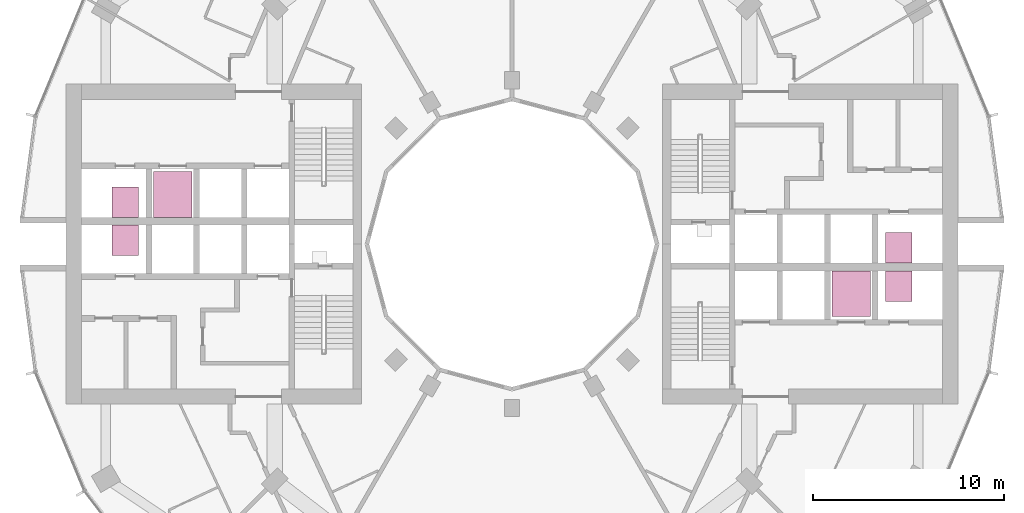
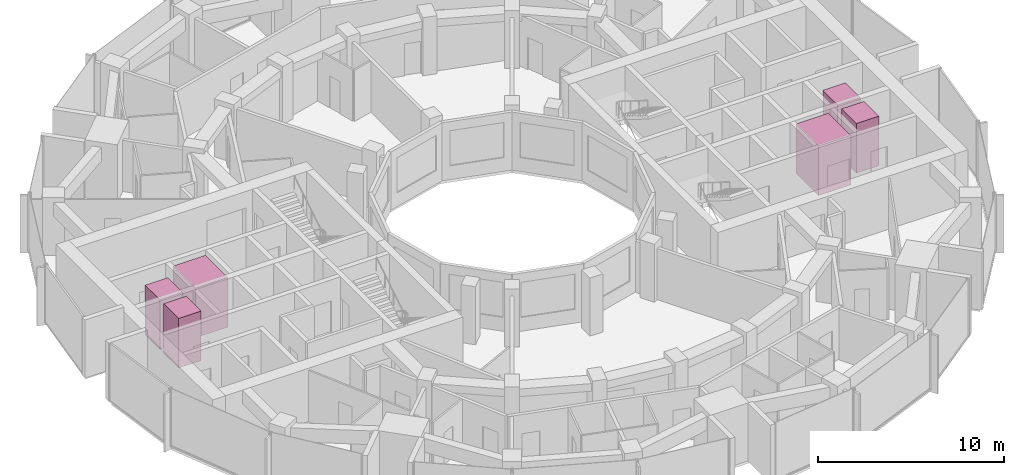
# One storey, part 15 of 15: 6 transport elements.
"""IFC4 building model written with IfcOpenShell, lengths in metres."""

from ifc_helpers import new_model, si_unit, direction, frame, origin, origin_2d, place, context, subcontext, project, spatial, rectangle, extrude, material, type_object, element, save


model = new_model("IFC4")

# Units and contexts
model_context = context("Model", 3, precision=1e-05, world=origin(), true_north=direction((0.0, 1.0)))
body_context = subcontext(model_context, "Body", "Model", "MODEL_VIEW")
ifc_project = project(units=[si_unit("LENGTHUNIT", "METRE"), si_unit("AREAUNIT", "SQUARE_METRE"), si_unit("VOLUMEUNIT", "CUBIC_METRE"), si_unit("PLANEANGLEUNIT", "RADIAN"), si_unit("MASSUNIT", "GRAM", prefix="KILO")], contexts=[model_context])

# Site, building, storey
site_placement = place(None, origin())
site = spatial("IfcSite", under=ifc_project, at=site_placement, CompositionType="ELEMENT")
building_placement = place(site_placement, origin())
building = spatial("IfcBuilding", under=site, at=building_placement, Name="Torre Brocal", CompositionType="ELEMENT")
storey_placement = place(building_placement, frame((0.0, 0.0, 90.0)))
storey = spatial("IfcBuildingStorey", under=building, at=storey_placement, Name="L20", CompositionType="ELEMENT", Elevation=90.0)

# Transport elements
ifc_material_1 = material(Name="Stainless steel AISI 316", Category="steel")
transport_element_type_1 = type_object("IfcTransportElementType", Name="PASSENGER LIFT 2000", PredefinedType="ELEVATOR", material=ifc_material_1)
for number, where, z_axis, x_axis, name in (
    (1, (97.800048828125, 72.39990234375, 0.0), (0.0, 0.0, 1.0), (1.0, 0.0, 0.0), "LOW RISE LIFT E-LR2"),
    (2, (62.199951171875, 77.60009765625, 0.0), (0.0, 0.0, 1.0), (1.0, 0.0, 0.0), "LOW RISE LIFT W-LR2"),
):
    element("IfcTransportElement", number, at=place(storey_placement, frame(where, z_axis=z_axis, x_axis=x_axis)), inside=storey, type_object=transport_element_type_1, Name=name, PredefinedType="ELEVATOR", context=body_context, shape_type="SweptSolid", body=[
        extrude(rectangle(XDim=2.0, YDim=2.39990234375, at=origin_2d()), origin(), (0.0, 0.0, 1.0), 3.25),
    ])
ifc_material_2 = material(Name="Stainless steel AISI 316", Category="steel")
transport_element_type_2 = type_object("IfcTransportElementType", Name="PASSENGER LIFT 900", PredefinedType="ELEVATOR", material=ifc_material_2)
for number, where, z_axis, x_axis, name in (
    (3, (100.300048828125, 74.800048828125, 0.0), (0.0, 0.0, 1.0), (1.0, 0.0, 0.0), "LOW RISE LIFT E-LR1"),
    (4, (100.300048828125, 72.800048828125, 0.0), (0.0, 0.0, 1.0), (1.0, 0.0, 0.0), "LOW RISE LIFT E-LR3"),
    (5, (59.699951171875, 75.199951171875, 0.0), (0.0, 0.0, 1.0), (1.0, 0.0, 0.0), "LOW RISE LIFT W-LR1"),
    (6, (59.699951171875, 77.199951171875, 0.0), (0.0, 0.0, 1.0), (1.0, 0.0, 0.0), "LOW RISE LIFT W-LR3"),
):
    element("IfcTransportElement", number, at=place(storey_placement, frame(where, z_axis=z_axis, x_axis=x_axis)), inside=storey, type_object=transport_element_type_2, Name=name, PredefinedType="ELEVATOR", context=body_context, shape_type="SweptSolid", body=[
        extrude(rectangle(XDim=1.39990234375, YDim=1.60009765625, at=origin_2d()), origin(), (0.0, 0.0, 1.0), 3.25),
    ])

save(model, "model.ifc")
